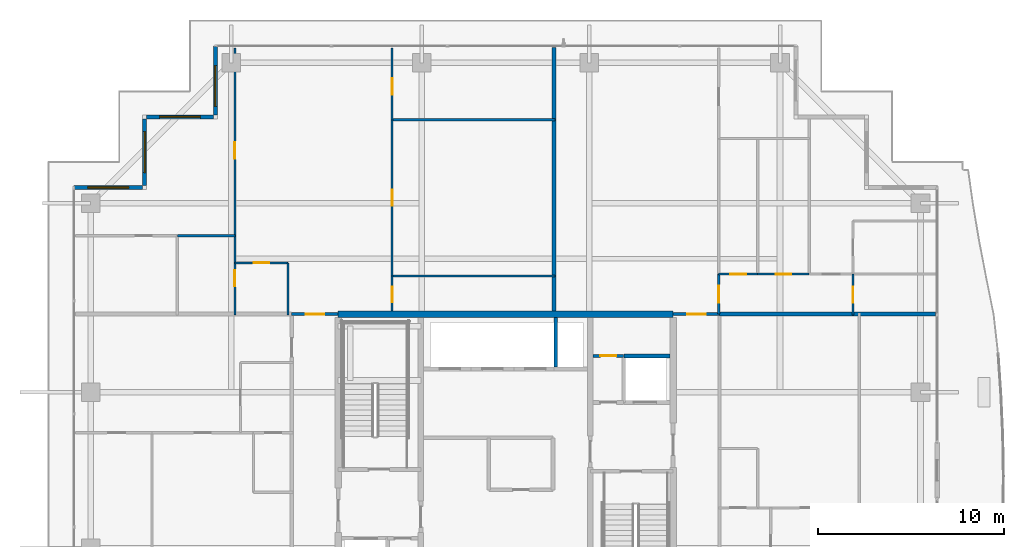
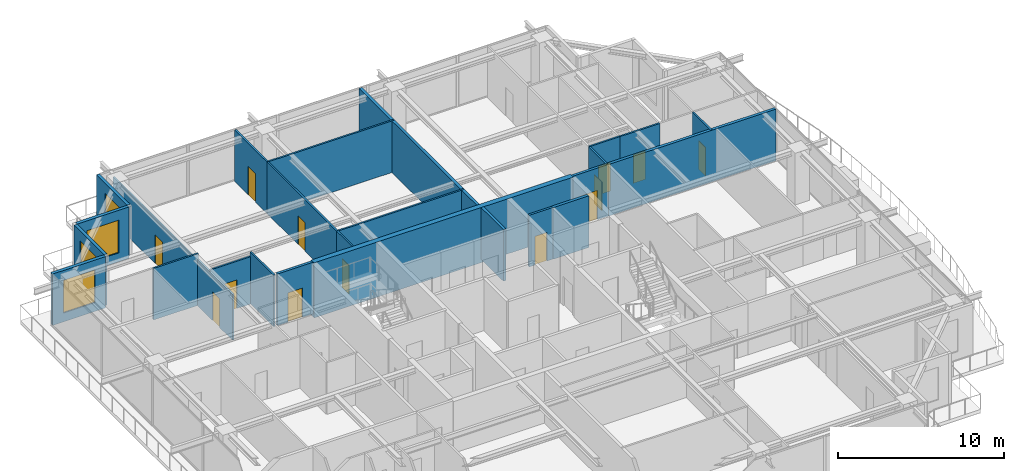
# One storey, part 33 of 41: 26 walls, 13 doors, 4 windows, 17 openings.
"""IFC4 building model written with IfcOpenShell, lengths in metres."""

from ifc_helpers import new_model, si_unit, direction, frame, frame_2d, origin, place, context, subcontext, project, spatial, rectangle, extrude, source, transform, mapped, material, layer, layer_set, type_object, element, fill, save


model = new_model("IFC4")

# Units and contexts
model_context = context("Model", 3, precision=1e-05, world=origin(), true_north=direction((0.0, 1.0)))
body_context = subcontext(model_context, "Body", "Model", "MODEL_VIEW")
ifc_project = project(units=[si_unit("LENGTHUNIT", "METRE"), si_unit("AREAUNIT", "SQUARE_METRE"), si_unit("VOLUMEUNIT", "CUBIC_METRE"), si_unit("PLANEANGLEUNIT", "RADIAN"), si_unit("MASSUNIT", "GRAM", prefix="KILO")], contexts=[model_context])

# Site, building, storey
site_placement = place(None, origin())
site = spatial("IfcSite", under=ifc_project, at=site_placement, CompositionType="ELEMENT")
building_placement = place(site_placement, origin())
building = spatial("IfcBuilding", under=site, at=building_placement, Name="Serunith Strait Residences", CompositionType="ELEMENT")
storey_placement = place(building_placement, frame((0.0, 0.0, 301.550048828125)))
storey = spatial("IfcBuildingStorey", under=building, at=storey_placement, Name="L75", CompositionType="ELEMENT", Elevation=301.550048828125)

# Wall, opening, window
ifc_material_1 = material(Name="Pale-Champagne Aluminium Insulated Panel", Category="aluminium")
ifc_layer_1 = layer(ifc_material_1, 0.219970703125, Name="Pale-Champagne Aluminium Insulated Panel")
ifc_layer_set_1 = layer_set([ifc_layer_1], Name="Pale-Champagne Aluminium Insulated Panel")
wall_type_1 = type_object("IfcWallType", Name="EW-ALUM-220", PredefinedType="ELEMENTEDWALL", material=ifc_layer_set_1)
wall_1_placement = place(storey_placement, frame((16.800048828125, 48.0, 0.0), z_axis=(0.0, 0.0, 1.0), x_axis=(0.0, -1.0, 0.0)))
wall_1 = element("IfcWall", 1, at=wall_1_placement, inside=storey, type_object=wall_type_1, Name="L75 Girih Serrated Corner Wall 12", PredefinedType="ELEMENTEDWALL", context=body_context, shape_type="SweptSolid", body=[
    extrude(rectangle(XDim=3.68994140625, YDim=0.219970703125, at=frame_2d((1.844970703125, 0.0))), origin(), (0.0, 0.0, 1.0), 3.77490234375),
])
opening_1_placement = place(wall_1_placement, frame((1.04296875, 0.0, 0.64990234375)))
opening_1 = element("IfcOpeningElement", 2, at=opening_1_placement, cuts=wall_1, Name="Opening W-06", PredefinedType="OPENING", context=body_context, shape_type="SweptSolid", body=[
    extrude(rectangle(XDim=2.199951171875, YDim=2.39990234375, at=frame_2d((1.10009765625, 1.199951171875))), frame((0.0, 0.1201171875, 0.0), z_axis=(0.0, -1.0, 0.0), x_axis=(1.0, 0.0, 0.0)), (0.0, 0.0, 1.0), 0.239990234375),
])
ifc_material_2 = material(Name="Crown Penthouse Low-E Operable Window Glass", Category="glass")
window_type = type_object("IfcWindowType", Name="WIN-C6", PartitioningType="TRIPLE_PANEL_VERTICAL", PredefinedType="WINDOW", material=ifc_material_2)
shared_shape_1 = source(origin(), body_context, "Body", "SweptSolid", [
    extrude(rectangle(XDim=2.199951171875, YDim=2.39990234375, at=frame_2d((1.10009765625, 1.199951171875))), frame((0.0, 0.030029296875, 0.0), z_axis=(0.0, -1.0, 0.0), x_axis=(1.0, 0.0, 0.0)), (0.0, 0.0, 1.0), 0.06005859375),
])
window_1_placement = place(opening_1_placement, origin())
window_1 = element("IfcWindow", 3, at=window_1_placement, inside=storey, type_object=window_type, Name="L75 Corner Operable Fritted Window 12", OverallHeight=2.39990234375, OverallWidth=2.199951171875, PartitioningType="SINGLE_PANEL", PredefinedType="WINDOW", context=body_context, shape_type="MappedRepresentation", body=[
    mapped(shared_shape_1, transform((0.0, 0.0, 0.0), scale=1.0)),
])
fill(opening_1, window_1)

wall_2_placement = place(storey_placement, frame((16.68994140625, 44.199951171875, 0.0), z_axis=(0.0, 0.0, 1.0), x_axis=(-1.0, 0.0, 0.0)))
wall_2 = element("IfcWall", 4, at=wall_2_placement, inside=storey, type_object=wall_type_1, Name="L75 Girih Serrated Corner Wall 13", PredefinedType="ELEMENTEDWALL", context=body_context, shape_type="SweptSolid", body=[
    extrude(rectangle(XDim=3.579833984375, YDim=0.219970703125, at=frame_2d((1.7900390625, 0.0))), origin(), (0.0, 0.0, 1.0), 3.77490234375),
])
opening_2_placement = place(wall_2_placement, frame((0.68994140625, 0.0, 0.64990234375)))
opening_2 = element("IfcOpeningElement", 5, at=opening_2_placement, cuts=wall_2, Name="Opening W-06", PredefinedType="OPENING", context=body_context, shape_type="SweptSolid", body=[
    extrude(rectangle(XDim=2.199951171875, YDim=2.39990234375, at=frame_2d((1.10009765625, 1.199951171875))), frame((0.0, 0.1201171875, 0.0), z_axis=(0.0, -1.0, 0.0), x_axis=(1.0, 0.0, 0.0)), (0.0, 0.0, 1.0), 0.239990234375),
])
window_2_placement = place(opening_2_placement, origin())
window_2 = element("IfcWindow", 6, at=window_2_placement, inside=storey, type_object=window_type, Name="L75 Corner Operable Fritted Window 13", OverallHeight=2.39990234375, OverallWidth=2.199951171875, PartitioningType="SINGLE_PANEL", PredefinedType="WINDOW", context=body_context, shape_type="MappedRepresentation", body=[
    mapped(shared_shape_1, transform((0.0, 0.0, 0.0), scale=1.0)),
])
fill(opening_2, window_2)

wall_3_placement = place(storey_placement, frame((13.0, 44.090087890625, 0.0), z_axis=(0.0, 0.0, 1.0), x_axis=(0.0, -1.0, 0.0)))
wall_3 = element("IfcWall", 7, at=wall_3_placement, inside=storey, type_object=wall_type_1, Name="L75 Girih Serrated Corner Wall 14", PredefinedType="ELEMENTEDWALL", context=body_context, shape_type="SweptSolid", body=[
    extrude(rectangle(XDim=3.580078125, YDim=0.219970703125, at=frame_2d((1.7900390625, 0.0))), origin(), (0.0, 0.0, 1.0), 3.77490234375),
])
opening_3_placement = place(wall_3_placement, frame((0.68994140625, 0.0, 0.64990234375)))
opening_3 = element("IfcOpeningElement", 8, at=opening_3_placement, cuts=wall_3, Name="Opening W-06", PredefinedType="OPENING", context=body_context, shape_type="SweptSolid", body=[
    extrude(rectangle(XDim=2.199951171875, YDim=2.39990234375, at=frame_2d((1.10009765625, 1.199951171875))), frame((0.0, 0.1201171875, 0.0), z_axis=(0.0, -1.0, 0.0), x_axis=(1.0, 0.0, 0.0)), (0.0, 0.0, 1.0), 0.239990234375),
])
window_3_placement = place(opening_3_placement, origin())
window_3 = element("IfcWindow", 9, at=window_3_placement, inside=storey, type_object=window_type, Name="L75 Corner Operable Fritted Window 14", OverallHeight=2.39990234375, OverallWidth=2.199951171875, PartitioningType="SINGLE_PANEL", PredefinedType="WINDOW", context=body_context, shape_type="MappedRepresentation", body=[
    mapped(shared_shape_1, transform((0.0, 0.0, 0.0), scale=1.0)),
])
fill(opening_3, window_3)

wall_4_placement = place(storey_placement, frame((12.889892578125, 40.39990234375, 0.0), z_axis=(0.0, 0.0, 1.0), x_axis=(-1.0, 0.0, 0.0)))
wall_4 = element("IfcWall", 10, at=wall_4_placement, inside=storey, type_object=wall_type_1, Name="L75 Girih Serrated Corner Wall 15", PredefinedType="ELEMENTEDWALL", context=body_context, shape_type="SweptSolid", body=[
    extrude(rectangle(XDim=3.68994140625, YDim=0.219970703125, at=frame_2d((1.844970703125, 0.0))), origin(), (0.0, 0.0, 1.0), 3.77490234375),
])
opening_4_placement = place(wall_4_placement, frame((0.7451171875, 0.0, 0.64990234375)))
opening_4 = element("IfcOpeningElement", 11, at=opening_4_placement, cuts=wall_4, Name="Opening W-06", PredefinedType="OPENING", context=body_context, shape_type="SweptSolid", body=[
    extrude(rectangle(XDim=2.199951171875, YDim=2.39990234375, at=frame_2d((1.10009765625, 1.199951171875))), frame((0.0, 0.1201171875, 0.0), z_axis=(0.0, -1.0, 0.0), x_axis=(1.0, 0.0, 0.0)), (0.0, 0.0, 1.0), 0.239990234375),
])
window_4_placement = place(opening_4_placement, origin())
window_4 = element("IfcWindow", 12, at=window_4_placement, inside=storey, type_object=window_type, Name="L75 Corner Operable Fritted Window 15", OverallHeight=2.39990234375, OverallWidth=2.199951171875, PartitioningType="SINGLE_PANEL", PredefinedType="WINDOW", context=body_context, shape_type="MappedRepresentation", body=[
    mapped(shared_shape_1, transform((0.0, 0.0, 0.0), scale=1.0)),
])
fill(opening_4, window_4)

# Wall, opening, door
ifc_material_3 = material(Name="Fire-rated masonry service closet wall", Category="masonry")
ifc_layer_2 = layer(ifc_material_3, 0.14990234375, Name="Fire-rated masonry service closet wall")
ifc_layer_set_2 = layer_set([ifc_layer_2], Name="Fire-rated masonry service closet wall")
wall_type_2 = type_object("IfcWallType", Name="IW-BOH-150", PredefinedType="PARTITIONING", material=ifc_layer_set_2)
wall_5_placement = place(storey_placement, frame((37.10009765625, 31.35009765625, 0.0), z_axis=(0.0, 0.0, 1.0), x_axis=(1.0, 0.0, 0.0)))
wall_5 = element("IfcWall", 13, at=wall_5_placement, inside=storey, type_object=wall_type_2, Name="L75 Partition Wall 011", PredefinedType="PARTITIONING", context=body_context, shape_type="SweptSolid", body=[
    extrude(rectangle(XDim=1.64794921875, YDim=0.14990234375, at=frame_2d((0.823974609375, 0.0))), origin(), (0.0, 0.0, 1.0), 3.7900390625),
])
opening_5_placement = place(wall_5_placement, frame((0.39892578125, 0.0, 0.0)))
opening_5 = element("IfcOpeningElement", 14, at=opening_5_placement, cuts=wall_5, Name="Opening FD-850", PredefinedType="OPENING", context=body_context, shape_type="SweptSolid", body=[
    extrude(rectangle(XDim=0.85009765625, YDim=2.10009765625, at=frame_2d((0.425048828125, 1.050048828125))), frame((0.0, 0.0849609375, 0.0), z_axis=(0.0, -1.0, 0.0), x_axis=(1.0, 0.0, 0.0)), (0.0, 0.0, 1.0), 0.169921875),
])
ifc_material_4 = material(Name="Powder-coated steel service closet door", Category="steel")
door_type_1 = type_object("IfcDoorType", Name="FD-BOH-850", OperationType="NOTDEFINED", PredefinedType="DOOR", material=ifc_material_4)
shared_shape_2 = source(origin(), body_context, "Body", "SweptSolid", [
    extrude(rectangle(XDim=0.85009765625, YDim=2.10009765625, at=frame_2d((0.425048828125, 1.050048828125))), frame((0.0, 0.02490234375, 0.0), z_axis=(0.0, -1.0, 0.0), x_axis=(1.0, 0.0, 0.0)), (0.0, 0.0, 1.0), 0.050048828125),
])
door_1_placement = place(opening_5_placement, origin())
door_1 = element("IfcDoor", 15, at=door_1_placement, inside=storey, type_object=door_type_1, Name="L75 Spare Parts Store Door", OperationType="SINGLE_SWING_RIGHT", OverallHeight=2.10009765625, OverallWidth=0.85009765625, PredefinedType="DOOR", context=body_context, shape_type="MappedRepresentation", body=[
    mapped(shared_shape_2, transform((0.0, 0.0, 0.0), scale=1.0)),
])
fill(opening_5, door_1)

ifc_material_5 = material(Name="Fire-rated acoustic gypsum partition")
ifc_layer_3 = layer(ifc_material_5, 0.179931640625, Name="Fire-rated acoustic gypsum partition")
ifc_layer_set_3 = layer_set([ifc_layer_3], Name="Fire-rated acoustic gypsum partition")
wall_type_3 = type_object("IfcWallType", Name="IW-CORR-180", PredefinedType="PARTITIONING", material=ifc_layer_set_3)
wall_6_placement = place(storey_placement, frame((20.902099609375, 33.60009765625, 0.0), z_axis=(0.0, 0.0, 1.0), x_axis=(1.0, 0.0, 0.0)))
wall_6 = element("IfcWall", 16, at=wall_6_placement, inside=storey, type_object=wall_type_3, Name="L75 Partition Wall 026", PredefinedType="PARTITIONING", context=body_context, shape_type="SweptSolid", body=[
    extrude(rectangle(XDim=2.495849609375, YDim=0.179931640625, at=frame_2d((1.248046875, 0.0))), origin(), (0.0, 0.0, 1.0), 3.7900390625),
])
opening_6_placement = place(wall_6_placement, frame((0.748046875, 0.0, 0.0)))
opening_6 = element("IfcOpeningElement", 17, at=opening_6_placement, cuts=wall_6, Name="Opening D-APT1000", PredefinedType="OPENING", context=body_context, shape_type="SweptSolid", body=[
    extrude(rectangle(XDim=1.0, YDim=2.14990234375, at=frame_2d((0.5, 1.074951171875))), frame((0.0, 0.10009765625, 0.0), z_axis=(0.0, -1.0, 0.0), x_axis=(1.0, 0.0, 0.0)), (0.0, 0.0, 1.0), 0.199951171875),
])
ifc_material_6 = material(Name="Solid timber engineered fire door", Category="wood")
door_type_2 = type_object("IfcDoorType", Name="ID-APT-1000", OperationType="NOTDEFINED", PredefinedType="DOOR", material=ifc_material_6)
shared_shape_3 = source(origin(), body_context, "Body", "SweptSolid", [
    extrude(rectangle(XDim=1.0, YDim=2.14990234375, at=frame_2d((0.5, 1.074951171875))), frame((0.0, 0.02490234375, 0.0), z_axis=(0.0, -1.0, 0.0), x_axis=(1.0, 0.0, 0.0)), (0.0, 0.0, 1.0), 0.050048828125),
])
door_2_placement = place(opening_6_placement, origin())
door_2 = element("IfcDoor", 18, at=door_2_placement, inside=storey, type_object=door_type_2, Name="L75 Unit 03 Entrance Door", OperationType="SINGLE_SWING_LEFT", OverallHeight=2.14990234375, OverallWidth=1.0, PredefinedType="DOOR", context=body_context, shape_type="MappedRepresentation", body=[
    mapped(shared_shape_3, transform((0.0, 0.0, 0.0), scale=1.0)),
])
fill(opening_6, door_2)

wall_7_placement = place(storey_placement, frame((41.402099609375, 33.60009765625, 0.0), z_axis=(0.0, 0.0, 1.0), x_axis=(1.0, 0.0, 0.0)))
wall_7 = element("IfcWall", 19, at=wall_7_placement, inside=storey, type_object=wall_type_3, Name="L75 Partition Wall 029", PredefinedType="PARTITIONING", context=body_context, shape_type="SweptSolid", body=[
    extrude(rectangle(XDim=2.495849609375, YDim=0.179931640625, at=frame_2d((1.248046875, 0.0))), origin(), (0.0, 0.0, 1.0), 3.7900390625),
])
opening_7_placement = place(wall_7_placement, frame((0.748046875, 0.0, 0.0)))
opening_7 = element("IfcOpeningElement", 20, at=opening_7_placement, cuts=wall_7, Name="Opening D-APT1000", PredefinedType="OPENING", context=body_context, shape_type="SweptSolid", body=[
    extrude(rectangle(XDim=1.0, YDim=2.14990234375, at=frame_2d((0.5, 1.074951171875))), frame((0.0, 0.10009765625, 0.0), z_axis=(0.0, -1.0, 0.0), x_axis=(1.0, 0.0, 0.0)), (0.0, 0.0, 1.0), 0.199951171875),
])
door_3_placement = place(opening_7_placement, origin())
door_3 = element("IfcDoor", 21, at=door_3_placement, inside=storey, type_object=door_type_2, Name="L75 Unit 04 Entrance Door", OperationType="SINGLE_SWING_RIGHT", OverallHeight=2.14990234375, OverallWidth=1.0, PredefinedType="DOOR", context=body_context, shape_type="MappedRepresentation", body=[
    mapped(shared_shape_3, transform((0.0, 0.0, 0.0), scale=1.0)),
])
fill(opening_7, door_3)

ifc_material_7 = material(Name="Lightweight steel-stud gypsum partition", Category="steel")
ifc_layer_4 = layer(ifc_material_7, 0.1201171875, Name="Lightweight steel-stud gypsum partition")
ifc_layer_set_4 = layer_set([ifc_layer_4], Name="Lightweight steel-stud gypsum partition")
wall_type_4 = type_object("IfcWallType", Name="IW-PART-120", PredefinedType="PARTITIONING", material=ifc_layer_set_4)
wall_8_placement = place(storey_placement, frame((17.85009765625, 36.35009765625, 0.0), z_axis=(0.0, 0.0, 1.0), x_axis=(1.0, 0.0, 0.0)))
wall_8 = element("IfcWall", 22, at=wall_8_placement, inside=storey, type_object=wall_type_4, Name="L75 Partition Wall 056", PredefinedType="PARTITIONING", context=body_context, shape_type="SweptSolid", body=[
    extrude(rectangle(XDim=2.849853515625, YDim=0.1201171875, at=frame_2d((1.4248046875, 0.0))), origin(), (0.0, 0.0, 1.0), 3.471923828125),
])
opening_8_placement = place(wall_8_placement, frame((1.0, 0.0, 0.0)))
opening_8 = element("IfcOpeningElement", 23, at=opening_8_placement, cuts=wall_8, Name="Opening D-RM850", PredefinedType="OPENING", context=body_context, shape_type="SweptSolid", body=[
    extrude(rectangle(XDim=0.85009765625, YDim=2.10009765625, at=frame_2d((0.425048828125, 1.050048828125))), frame((0.0, 0.070068359375, 0.0), z_axis=(0.0, -1.0, 0.0), x_axis=(1.0, 0.0, 0.0)), (0.0, 0.0, 1.0), 0.14013671875),
])
ifc_material_8 = material(Name="Engineered timber flush study and kitchen door", Category="wood")
door_type_3 = type_object("IfcDoorType", Name="ID-ROOM-850", OperationType="NOTDEFINED", PredefinedType="DOOR", material=ifc_material_8)
door_4_placement = place(opening_8_placement, origin())
door_4 = element("IfcDoor", 24, at=door_4_placement, inside=storey, type_object=door_type_3, Name="L75 Kitchen 7503 Door", OperationType="SINGLE_SWING_RIGHT", OverallHeight=2.10009765625, OverallWidth=0.85009765625, PredefinedType="DOOR", context=body_context, shape_type="MappedRepresentation", body=[
    mapped(shared_shape_2, transform((0.0, 0.0, 0.0), scale=1.0)),
])
fill(opening_8, door_4)

# Wall
wall_9_placement = place(storey_placement, frame((20.699951171875, 36.35009765625, 0.0), z_axis=(0.0, 0.0, 1.0), x_axis=(0.0, -1.0, 0.0)))
element("IfcWall", 25, at=wall_9_placement, inside=storey, type_object=wall_type_4, Name="L75 Partition Wall 057", PredefinedType="PARTITIONING", context=body_context, shape_type="SweptSolid", body=[
    extrude(rectangle(XDim=2.81005859375, YDim=0.1201171875, at=frame_2d((1.405029296875, 0.0))), origin(), (0.0, 0.0, 1.0), 3.7900390625),
])

# Wall, opening, door
wall_10_placement = place(storey_placement, frame((17.85009765625, 47.905029296875, 0.0), z_axis=(0.0, 0.0, 1.0), x_axis=(0.0, -1.0, 0.0)))
wall_10 = element("IfcWall", 26, at=wall_10_placement, inside=storey, type_object=wall_type_4, Name="L75 Partition Wall 058", PredefinedType="PARTITIONING", context=body_context, shape_type="SweptSolid", body=[
    extrude(rectangle(XDim=10.09814453125, YDim=0.1201171875, at=frame_2d((5.049072265625, 0.0))), origin(), (0.0, 0.0, 1.0), 3.2919921875),
])
opening_9_placement = place(wall_10_placement, frame((5.05908203125, 0.0, 0.0)))
opening_9 = element("IfcOpeningElement", 27, at=opening_9_placement, cuts=wall_10, Name="Opening D-RM900", PredefinedType="OPENING", context=body_context, shape_type="SweptSolid", body=[
    extrude(rectangle(XDim=0.89990234375, YDim=2.10009765625, at=frame_2d((0.449951171875, 1.050048828125))), frame((0.0, 0.070068359375, 0.0), z_axis=(0.0, -1.0, 0.0), x_axis=(1.0, 0.0, 0.0)), (0.0, 0.0, 1.0), 0.14013671875),
])
ifc_material_9 = material(Name="Engineered timber flush bedroom door", Category="wood")
door_type_4 = type_object("IfcDoorType", Name="ID-ROOM-900", OperationType="NOTDEFINED", PredefinedType="DOOR", material=ifc_material_9)
shared_shape_4 = source(origin(), body_context, "Body", "SweptSolid", [
    extrude(rectangle(XDim=0.89990234375, YDim=2.10009765625, at=frame_2d((0.449951171875, 1.050048828125))), frame((0.0, 0.02490234375, 0.0), z_axis=(0.0, -1.0, 0.0), x_axis=(1.0, 0.0, 0.0)), (0.0, 0.0, 1.0), 0.050048828125),
])
door_5_placement = place(opening_9_placement, origin())
door_5 = element("IfcDoor", 28, at=door_5_placement, inside=storey, type_object=door_type_4, Name="L75 Master Bedroom 1 7503 Door", OperationType="SINGLE_SWING_LEFT", OverallHeight=2.10009765625, OverallWidth=0.89990234375, PredefinedType="DOOR", context=body_context, shape_type="MappedRepresentation", body=[
    mapped(shared_shape_4, transform((0.0, 0.0, 0.0), scale=1.0)),
])
fill(opening_9, door_5)

# Wall
wall_11_placement = place(storey_placement, frame((14.751953125, 37.806884765625, 0.0), z_axis=(0.0, 0.0, 1.0), x_axis=(1.0, 0.0, 0.0)))
element("IfcWall", 29, at=wall_11_placement, inside=storey, type_object=wall_type_4, Name="L75 Partition Wall 060", PredefinedType="PARTITIONING", context=body_context, shape_type="SweptSolid", body=[
    extrude(rectangle(XDim=3.09814453125, YDim=0.1201171875, at=frame_2d((1.549072265625, 0.0))), origin(), (0.0, 0.0, 1.0), 3.7900390625),
])

# Wall, opening, door
wall_12_placement = place(storey_placement, frame((17.85009765625, 37.804931640625, 0.0), z_axis=(0.0, 0.0, 1.0), x_axis=(0.0, -1.0, 0.0)))
wall_12 = element("IfcWall", 30, at=wall_12_placement, inside=storey, type_object=wall_type_4, Name="L75 Partition Wall 062", PredefinedType="PARTITIONING", context=body_context, shape_type="SweptSolid", body=[
    extrude(rectangle(XDim=4.264892578125, YDim=0.1201171875, at=frame_2d((2.13232421875, 0.0))), origin(), (0.0, 0.0, 1.0), 3.3720703125),
])
opening_10_placement = place(wall_12_placement, frame((1.847900390625, 0.0, 0.0)))
opening_10 = element("IfcOpeningElement", 31, at=opening_10_placement, cuts=wall_12, Name="Opening D-BTH850", PredefinedType="OPENING", context=body_context, shape_type="SweptSolid", body=[
    extrude(rectangle(XDim=0.85009765625, YDim=2.10009765625, at=frame_2d((0.425048828125, 1.050048828125))), frame((0.0, 0.070068359375, 0.0), z_axis=(0.0, -1.0, 0.0), x_axis=(1.0, 0.0, 0.0)), (0.0, 0.0, 1.0), 0.14013671875),
])
ifc_material_10 = material(Name="Moisture-resistant timber bathroom door", Category="wood")
door_type_5 = type_object("IfcDoorType", Name="ID-BATH-850", OperationType="NOTDEFINED", PredefinedType="DOOR", material=ifc_material_10)
door_6_placement = place(opening_10_placement, origin())
door_6 = element("IfcDoor", 32, at=door_6_placement, inside=storey, type_object=door_type_5, Name="L75 Bathroom 7503 Door", OperationType="SINGLE_SWING_LEFT", OverallHeight=2.10009765625, OverallWidth=0.85009765625, PredefinedType="DOOR", context=body_context, shape_type="MappedRepresentation", body=[
    mapped(shared_shape_2, transform((0.0, 0.0, 0.0), scale=1.0)),
])
fill(opening_10, door_6)

wall_13_placement = place(storey_placement, frame((26.300048828125, 47.905029296875, 0.0), z_axis=(0.0, 0.0, 1.0), x_axis=(0.0, -1.0, 0.0)))
wall_13 = element("IfcWall", 33, at=wall_13_placement, inside=storey, type_object=wall_type_4, Name="L75 Partition Wall 063", PredefinedType="PARTITIONING", context=body_context, shape_type="SweptSolid", body=[
    extrude(rectangle(XDim=3.866943359375, YDim=0.1201171875, at=frame_2d((1.93359375, 0.0))), origin(), (0.0, 0.0, 1.0), 3.7900390625),
])
opening_11_placement = place(wall_13_placement, frame((1.632080078125, 0.0, 0.0)))
opening_11 = element("IfcOpeningElement", 34, at=opening_11_placement, cuts=wall_13, Name="Opening D-RM900", PredefinedType="OPENING", context=body_context, shape_type="SweptSolid", body=[
    extrude(rectangle(XDim=0.89990234375, YDim=2.10009765625, at=frame_2d((0.449951171875, 1.050048828125))), frame((0.0, 0.070068359375, 0.0), z_axis=(0.0, -1.0, 0.0), x_axis=(1.0, 0.0, 0.0)), (0.0, 0.0, 1.0), 0.14013671875),
])
door_7_placement = place(opening_11_placement, origin())
door_7 = element("IfcDoor", 35, at=door_7_placement, inside=storey, type_object=door_type_4, Name="L75 Bedroom 2 7503 Door", OperationType="SINGLE_SWING_RIGHT", OverallHeight=2.10009765625, OverallWidth=0.89990234375, PredefinedType="DOOR", context=body_context, shape_type="MappedRepresentation", body=[
    mapped(shared_shape_4, transform((0.0, 0.0, 0.0), scale=1.0)),
])
fill(opening_11, door_7)

# Walls
for number, where, z_axis, x_axis, name in (
    (36, (26.300048828125, 44.0380859375, 0.0), (0.0, 0.0, 1.0), (1.0, 0.0, 0.0), "L75 Partition Wall 064"),
    (37, (26.300048828125, 35.64990234375, 0.0), (0.0, 0.0, 1.0), (1.0, 0.0, 0.0), "L75 Partition Wall 065"),
):
    element("IfcWall", number, at=place(storey_placement, frame(where, z_axis=z_axis, x_axis=x_axis)), inside=storey, type_object=wall_type_4, Name=name, PredefinedType="PARTITIONING", context=body_context, shape_type="SweptSolid", body=[
        extrude(rectangle(XDim=8.760009765625, YDim=0.1201171875, at=frame_2d((4.3798828125, 0.0))), origin(), (0.0, 0.0, 1.0), 3.7900390625),
    ])

# Wall, opening, door
wall_14_placement = place(storey_placement, frame((26.300048828125, 44.035888671875, 0.0), z_axis=(0.0, 0.0, 1.0), x_axis=(0.0, -1.0, 0.0)))
wall_14 = element("IfcWall", 38, at=wall_14_placement, inside=storey, type_object=wall_type_4, Name="L75 Partition Wall 066", PredefinedType="PARTITIONING", context=body_context, shape_type="SweptSolid", body=[
    extrude(rectangle(XDim=8.385986328125, YDim=0.1201171875, at=frame_2d((4.19287109375, 0.0))), origin(), (0.0, 0.0, 1.0), 3.7900390625),
])
opening_12_placement = place(wall_14_placement, frame((3.76806640625, 0.0, 0.0)))
opening_12 = element("IfcOpeningElement", 39, at=opening_12_placement, cuts=wall_14, Name="Opening D-RM850", PredefinedType="OPENING", context=body_context, shape_type="SweptSolid", body=[
    extrude(rectangle(XDim=0.85009765625, YDim=2.10009765625, at=frame_2d((0.425048828125, 1.050048828125))), frame((0.0, 0.070068359375, 0.0), z_axis=(0.0, -1.0, 0.0), x_axis=(1.0, 0.0, 0.0)), (0.0, 0.0, 1.0), 0.14013671875),
])
door_8_placement = place(opening_12_placement, origin())
door_8 = element("IfcDoor", 40, at=door_8_placement, inside=storey, type_object=door_type_3, Name="L75 Walk-in Wardrobe 7503 Door", OperationType="SINGLE_SWING_LEFT", OverallHeight=2.10009765625, OverallWidth=0.85009765625, PredefinedType="DOOR", context=body_context, shape_type="MappedRepresentation", body=[
    mapped(shared_shape_2, transform((0.0, 0.0, 0.0), scale=1.0)),
])
fill(opening_12, door_8)

wall_15_placement = place(storey_placement, frame((26.300048828125, 35.64794921875, 0.0), z_axis=(0.0, 0.0, 1.0), x_axis=(0.0, -1.0, 0.0)))
wall_15 = element("IfcWall", 41, at=wall_15_placement, inside=storey, type_object=wall_type_4, Name="L75 Partition Wall 067", PredefinedType="PARTITIONING", context=body_context, shape_type="SweptSolid", body=[
    extrude(rectangle(XDim=1.873046875, YDim=0.1201171875, at=frame_2d((0.9365234375, 0.0))), origin(), (0.0, 0.0, 1.0), 3.7900390625),
])
opening_13_placement = place(wall_15_placement, frame((0.574951171875, 0.0, 0.0)))
opening_13 = element("IfcOpeningElement", 42, at=opening_13_placement, cuts=wall_15, Name="Opening D-BTH850", PredefinedType="OPENING", context=body_context, shape_type="SweptSolid", body=[
    extrude(rectangle(XDim=0.85009765625, YDim=2.10009765625, at=frame_2d((0.425048828125, 1.050048828125))), frame((0.0, 0.070068359375, 0.0), z_axis=(0.0, -1.0, 0.0), x_axis=(1.0, 0.0, 0.0)), (0.0, 0.0, 1.0), 0.14013671875),
])
door_9_placement = place(opening_13_placement, origin())
door_9 = element("IfcDoor", 43, at=door_9_placement, inside=storey, type_object=door_type_5, Name="L75 Bathroom 7503 Door", OperationType="SINGLE_SWING_RIGHT", OverallHeight=2.10009765625, OverallWidth=0.85009765625, PredefinedType="DOOR", context=body_context, shape_type="MappedRepresentation", body=[
    mapped(shared_shape_2, transform((0.0, 0.0, 0.0), scale=1.0)),
])
fill(opening_13, door_9)

wall_16_placement = place(storey_placement, frame((43.85009765625, 35.75, 0.0), z_axis=(0.0, 0.0, 1.0), x_axis=(0.0, -1.0, 0.0)))
wall_16 = element("IfcWall", 44, at=wall_16_placement, inside=storey, type_object=wall_type_4, Name="L75 Partition Wall 068", PredefinedType="PARTITIONING", context=body_context, shape_type="SweptSolid", body=[
    extrude(rectangle(XDim=2.14794921875, YDim=0.1201171875, at=frame_2d((1.073974609375, 0.0))), origin(), (0.0, 0.0, 1.0), 3.7900390625),
])
opening_14_placement = place(wall_16_placement, frame((0.64208984375, 0.0, 0.0)))
opening_14 = element("IfcOpeningElement", 45, at=opening_14_placement, cuts=wall_16, Name="Opening D-RM900", PredefinedType="OPENING", context=body_context, shape_type="SweptSolid", body=[
    extrude(rectangle(XDim=0.89990234375, YDim=2.10009765625, at=frame_2d((0.449951171875, 1.050048828125))), frame((0.0, 0.070068359375, 0.0), z_axis=(0.0, -1.0, 0.0), x_axis=(1.0, 0.0, 0.0)), (0.0, 0.0, 1.0), 0.14013671875),
])
door_10_placement = place(opening_14_placement, origin())
door_10 = element("IfcDoor", 46, at=door_10_placement, inside=storey, type_object=door_type_4, Name="L75 Hall E 7504 Door", OperationType="SINGLE_SWING_LEFT", OverallHeight=2.10009765625, OverallWidth=0.89990234375, PredefinedType="DOOR", context=body_context, shape_type="MappedRepresentation", body=[
    mapped(shared_shape_4, transform((0.0, 0.0, 0.0), scale=1.0)),
])
fill(opening_14, door_10)

wall_17_placement = place(storey_placement, frame((43.85009765625, 35.75, 0.0), z_axis=(0.0, 0.0, 1.0), x_axis=(1.0, 0.0, 0.0)))
wall_17 = element("IfcWall", 47, at=wall_17_placement, inside=storey, type_object=wall_type_4, Name="L75 Partition Wall 074", PredefinedType="PARTITIONING", context=body_context, shape_type="SweptSolid", body=[
    extrude(rectangle(XDim=2.099853515625, YDim=0.1201171875, at=frame_2d((1.0498046875, 0.0))), origin(), (0.0, 0.0, 1.0), 3.7900390625),
])
opening_15_placement = place(wall_17_placement, frame((0.625, 0.0, 0.0)))
opening_15 = element("IfcOpeningElement", 48, at=opening_15_placement, cuts=wall_17, Name="Opening D-BTH850", PredefinedType="OPENING", context=body_context, shape_type="SweptSolid", body=[
    extrude(rectangle(XDim=0.85009765625, YDim=2.10009765625, at=frame_2d((0.425048828125, 1.050048828125))), frame((0.0, 0.070068359375, 0.0), z_axis=(0.0, -1.0, 0.0), x_axis=(1.0, 0.0, 0.0)), (0.0, 0.0, 1.0), 0.14013671875),
])
door_11_placement = place(opening_15_placement, origin())
door_11 = element("IfcDoor", 49, at=door_11_placement, inside=storey, type_object=door_type_5, Name="L75 Bathroom 7504 Door", OperationType="SINGLE_SWING_LEFT", OverallHeight=2.10009765625, OverallWidth=0.85009765625, PredefinedType="DOOR", context=body_context, shape_type="MappedRepresentation", body=[
    mapped(shared_shape_2, transform((0.0, 0.0, 0.0), scale=1.0)),
])
fill(opening_15, door_11)

wall_18_placement = place(storey_placement, frame((45.951904296875, 35.75, 0.0), z_axis=(0.0, 0.0, 1.0), x_axis=(1.0, 0.0, 0.0)))
wall_18 = element("IfcWall", 50, at=wall_18_placement, inside=storey, type_object=wall_type_4, Name="L75 Partition Wall 075", PredefinedType="PARTITIONING", context=body_context, shape_type="SweptSolid", body=[
    extrude(rectangle(XDim=2.76806640625, YDim=0.1201171875, at=frame_2d((1.384033203125, 0.0))), origin(), (0.0, 0.0, 1.0), 3.7900390625),
])
opening_16_placement = place(wall_18_placement, frame((0.958984375, 0.0, 0.0)))
opening_16 = element("IfcOpeningElement", 51, at=opening_16_placement, cuts=wall_18, Name="Opening D-RM850", PredefinedType="OPENING", context=body_context, shape_type="SweptSolid", body=[
    extrude(rectangle(XDim=0.85009765625, YDim=2.10009765625, at=frame_2d((0.425048828125, 1.050048828125))), frame((0.0, 0.070068359375, 0.0), z_axis=(0.0, -1.0, 0.0), x_axis=(1.0, 0.0, 0.0)), (0.0, 0.0, 1.0), 0.14013671875),
])
door_12_placement = place(opening_16_placement, origin())
door_12 = element("IfcDoor", 52, at=door_12_placement, inside=storey, type_object=door_type_3, Name="L75 Kitchen 7504 Door", OperationType="SINGLE_SWING_RIGHT", OverallHeight=2.10009765625, OverallWidth=0.85009765625, PredefinedType="DOOR", context=body_context, shape_type="MappedRepresentation", body=[
    mapped(shared_shape_2, transform((0.0, 0.0, 0.0), scale=1.0)),
])
fill(opening_16, door_12)

wall_19_placement = place(storey_placement, frame((51.070068359375, 35.748046875, 0.0), z_axis=(0.0, 0.0, 1.0), x_axis=(0.0, -1.0, 0.0)))
wall_19 = element("IfcWall", 53, at=wall_19_placement, inside=storey, type_object=wall_type_4, Name="L75 Partition Wall 080", PredefinedType="PARTITIONING", context=body_context, shape_type="SweptSolid", body=[
    extrude(rectangle(XDim=2.2080078125, YDim=0.1201171875, at=frame_2d((1.10400390625, 0.0))), origin(), (0.0, 0.0, 1.0), 3.7900390625),
])
opening_17_placement = place(wall_19_placement, frame((0.678955078125, 0.0, 0.0)))
opening_17 = element("IfcOpeningElement", 54, at=opening_17_placement, cuts=wall_19, Name="Opening D-RM850", PredefinedType="OPENING", context=body_context, shape_type="SweptSolid", body=[
    extrude(rectangle(XDim=0.85009765625, YDim=2.10009765625, at=frame_2d((0.425048828125, 1.050048828125))), frame((0.0, 0.070068359375, 0.0), z_axis=(0.0, -1.0, 0.0), x_axis=(1.0, 0.0, 0.0)), (0.0, 0.0, 1.0), 0.14013671875),
])
door_13_placement = place(opening_17_placement, origin())
door_13 = element("IfcDoor", 55, at=door_13_placement, inside=storey, type_object=door_type_3, Name="L75 Wardrobe E 7504 Door", OperationType="SINGLE_SWING_LEFT", OverallHeight=2.10009765625, OverallWidth=0.85009765625, PredefinedType="DOOR", context=body_context, shape_type="MappedRepresentation", body=[
    mapped(shared_shape_2, transform((0.0, 0.0, 0.0), scale=1.0)),
])
fill(opening_17, door_13)

# Walls
ifc_material_11 = material(Name="Twin-stud acoustic gypsum board partition")
ifc_layer_5 = layer(ifc_material_11, 0.199951171875, Name="Twin-stud acoustic gypsum board partition")
ifc_layer_set_5 = layer_set([ifc_layer_5], Name="Twin-stud acoustic gypsum board partition")
wall_type_5 = type_object("IfcWallType", Name="IW-PARTY-200", PredefinedType="PARTITIONING", material=ifc_layer_set_5)
wall_20_placement = place(storey_placement, frame((35.0, 33.77490234375, 0.0), z_axis=(0.0, 0.0, 1.0), x_axis=(0.0, 1.0, 0.0)))
element("IfcWall", 56, at=wall_20_placement, inside=storey, type_object=wall_type_5, Name="L75 Partition Wall 020", PredefinedType="PARTITIONING", context=body_context, shape_type="SweptSolid", body=[
    extrude(rectangle(XDim=14.14306640625, YDim=0.199951171875, at=frame_2d((7.071533203125, 0.0))), origin(), (0.0, 0.0, 1.0), 3.7900390625),
])
wall_21_placement = place(storey_placement, frame((43.89990234375, 33.60009765625, 0.0), z_axis=(0.0, 0.0, 1.0), x_axis=(1.0, 0.0, 0.0)))
element("IfcWall", 57, at=wall_21_placement, inside=storey, type_object=wall_type_5, Name="L75 Partition Wall 024", PredefinedType="PARTITIONING", context=body_context, shape_type="SweptSolid", body=[
    extrude(rectangle(XDim=11.6181640625, YDim=0.199951171875, at=frame_2d((5.80908203125, 0.0))), origin(), (0.0, 0.0, 1.0), 3.7900390625),
])
ifc_material_12 = material(Name="Autoclaved aerated concrete blockwork", Category="masonry")
ifc_layer_6 = layer(ifc_material_12, 0.199951171875, Name="Autoclaved aerated concrete blockwork")
ifc_layer_set_6 = layer_set([ifc_layer_6], Name="Autoclaved aerated concrete blockwork")
wall_type_6 = type_object("IfcWallType", Name="IW-SHAFT-200", PredefinedType="STANDARD", material=ifc_layer_set_6)
wall_22_placement = place(storey_placement, frame((35.10009765625, 30.75, 0.0), z_axis=(0.0, 0.0, 1.0), x_axis=(0.0, 1.0, 0.0)))
element("IfcWall", 58, at=wall_22_placement, inside=storey, type_object=wall_type_6, Name="L75 SL-1 West Shaft Wall", PredefinedType="STANDARD", context=body_context, shape_type="SweptSolid", body=[
    extrude(rectangle(XDim=2.675048828125, YDim=0.199951171875, at=frame_2d((1.33740234375, 0.0))), origin(), (0.0, 0.0, 1.0), 3.7900390625),
])
wall_23_placement = place(storey_placement, frame((38.75, 31.35009765625, 0.0), z_axis=(0.0, 0.0, 1.0), x_axis=(1.0, 0.0, 0.0)))
element("IfcWall", 59, at=wall_23_placement, inside=storey, type_object=wall_type_6, Name="L75 Partition Wall 005", PredefinedType="STANDARD", context=body_context, shape_type="SweptSolid", body=[
    extrude(rectangle(XDim=2.47509765625, YDim=0.199951171875, at=frame_2d((1.237548828125, 0.0))), origin(), (0.0, 0.0, 1.0), 3.7900390625),
])
ifc_material_13 = material(Name="Concrete C60/75", Category="concrete")
ifc_layer_7 = layer(ifc_material_13, 0.35009765625, Name="Concrete C60/75")
ifc_layer_set_7 = layer_set([ifc_layer_7], Name="Concrete C60/75")
wall_type_7 = type_object("IfcWallType", Name="SW-350-C60", PredefinedType="SHEAR", material=ifc_layer_set_7)
wall_24_placement = place(storey_placement, frame((41.39990234375, 33.60009765625, -0.260009765625), z_axis=(0.0, 0.0, 1.0), x_axis=(-1.0, 0.0, 0.0)))
element("IfcWall", 60, at=wall_24_placement, inside=storey, type_object=wall_type_7, Name="L75 Core North Shear Wall", PredefinedType="SHEAR", context=body_context, shape_type="SweptSolid", body=[
    extrude(rectangle(XDim=18.0, YDim=0.35009765625, at=frame_2d((9.0, 0.0))), origin(), (0.0, 0.0, 1.0), 4.0478515625),
])

save(model, "model.ifc")
